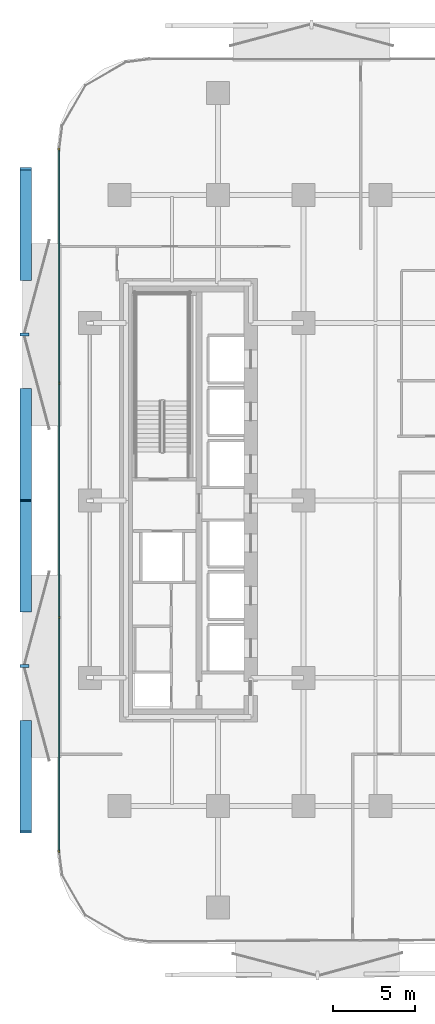
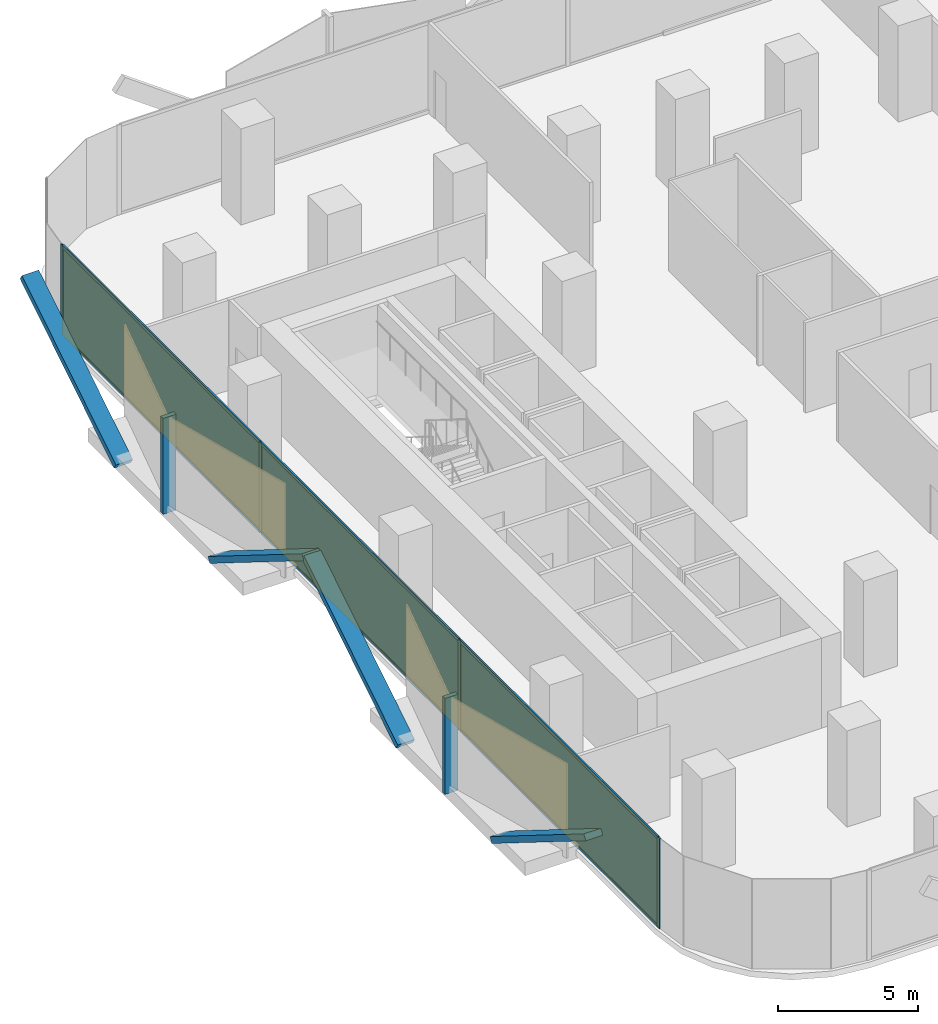
# One storey, part 8 of 15: 16 members, 3 plates, 1 curtain wall.
"""IFC4 building model written with IfcOpenShell, lengths in metres."""

from ifc_helpers import new_model, si_unit, direction, frame, frame_2d, origin, origin_2d, place, context, subcontext, project, spatial, rectangle, extrude, material, layer, layer_set, material_profile, profile_set, type_object, element, aggregate, save


model = new_model("IFC4")

# Units and contexts
model_context = context("Model", 3, precision=1e-05, world=origin(), true_north=direction((0.0, 1.0)))
body_context = subcontext(model_context, "Body", "Model", "MODEL_VIEW")
ifc_project = project(units=[si_unit("LENGTHUNIT", "METRE"), si_unit("AREAUNIT", "SQUARE_METRE"), si_unit("VOLUMEUNIT", "CUBIC_METRE"), si_unit("PLANEANGLEUNIT", "RADIAN"), si_unit("MASSUNIT", "GRAM", prefix="KILO")], contexts=[model_context])

# Member
ifc_material_1 = material(Name="Anodised Bronze Aluminium 6063-T6", Category="aluminium")
ifc_material_profile_1 = material_profile(ifc_material_1, rectangle(XDim=0.260009765625, YDim=0.699951171875, at=origin_2d()))
ifc_profile_set_1 = profile_set([ifc_material_profile_1], Name="Anodised Bronze Aluminium 6063-T6")
member_type_1 = type_object("IfcMemberType", Name="Bronze Diamond Solar-Screen Lattice Rib BDL-700", PredefinedType="MULLION", material=ifc_profile_set_1)
site_placement = place(None, origin())
building_placement = place(site_placement, origin())
storey_placement = place(building_placement, frame((0.0, 0.0, 47.0)))
member_1_placement = place(storey_placement, frame((-26.10009765625, -6.730224609375, -0.1298828125), z_axis=(0.0, 0.848362902952, 0.529415134744), x_axis=(0.0, -0.529415134744, 0.848362902952)))
member_1 = element("IfcMember", 1, at=member_1_placement, type_object=member_type_1, Name="L11 Bronze Diamond Solar Screen Lattice Rib 43A", PredefinedType="MULLION", context=body_context, shape_type="SweptSolid", body=[
    extrude(rectangle(XDim=0.260009765625, YDim=0.699951171875, at=origin_2d()), origin(), (0.0, 0.0, 1.0), 7.93310546875),
])

member_2_placement = place(storey_placement, frame((-26.10009765625, -13.46044921875, -0.1298828125), z_axis=(0.0, -0.848371528126, 0.529401313057), x_axis=(0.0, 0.529401313057, 0.848371528126)))
member_2 = element("IfcMember", 2, at=member_2_placement, type_object=member_type_1, Name="L11 Bronze Diamond Solar Screen Lattice Rib 43B", PredefinedType="MULLION", context=body_context, shape_type="SweptSolid", body=[
    extrude(rectangle(XDim=0.260009765625, YDim=0.699951171875, at=origin_2d()), origin(), (0.0, 0.0, 1.0), 7.933349609375),
])

member_3_placement = place(storey_placement, frame((-26.10009765625, 13.46044921875, -0.1298828125), z_axis=(0.0, 0.848371528126, 0.529401313057), x_axis=(0.0, -0.529401313057, 0.848371528126)))
member_3 = element("IfcMember", 3, at=member_3_placement, type_object=member_type_1, Name="L11 Bronze Diamond Solar Screen Lattice Rib 44A", PredefinedType="MULLION", context=body_context, shape_type="SweptSolid", body=[
    extrude(rectangle(XDim=0.260009765625, YDim=0.699951171875, at=origin_2d()), origin(), (0.0, 0.0, 1.0), 7.933349609375),
])

member_4_placement = place(storey_placement, frame((-26.10009765625, 6.730224609375, -0.1298828125), z_axis=(0.0, -0.848362902952, 0.529415134744), x_axis=(0.0, 0.529415134744, 0.848362902952)))
member_4 = element("IfcMember", 4, at=member_4_placement, type_object=member_type_1, Name="L11 Bronze Diamond Solar Screen Lattice Rib 44B", PredefinedType="MULLION", context=body_context, shape_type="SweptSolid", body=[
    extrude(rectangle(XDim=0.260009765625, YDim=0.699951171875, at=origin_2d()), origin(), (0.0, 0.0, 1.0), 7.93310546875),
])

ifc_material_2 = material(Name="Anodised Bronze Aluminium 6063-T6", Category="aluminium")
ifc_material_profile_2 = material_profile(ifc_material_2, rectangle(XDim=0.179931640625, YDim=0.5400390625, at=origin_2d()))
ifc_profile_set_2 = profile_set([ifc_material_profile_2], Name="Anodised Bronze Aluminium 6063-T6")
member_type_2 = type_object("IfcMemberType", Name="Bronze Solar-Screen Vertical Fold Fin BSF-540", PredefinedType="MULLION", material=ifc_profile_set_2)
member_5_placement = place(storey_placement, frame((-26.179931640625, -10.095458984375, -0.1298828125), z_axis=(0.0, 0.0, 1.0), x_axis=(0.0, 1.0, 0.0)))
member_5 = element("IfcMember", 5, at=member_5_placement, type_object=member_type_2, Name="L11 Bronze Solar Screen Vertical Fin 43", PredefinedType="MULLION", context=body_context, shape_type="SweptSolid", body=[
    extrude(rectangle(XDim=0.179931640625, YDim=0.5400390625, at=origin_2d()), origin(), (0.0, 0.0, 1.0), 4.199951171875),
])

member_6_placement = place(storey_placement, frame((-26.179931640625, 10.095458984375, -0.1298828125), z_axis=(0.0, 0.0, 1.0), x_axis=(0.0, 1.0, 0.0)))
member_6 = element("IfcMember", 6, at=member_6_placement, type_object=member_type_2, Name="L11 Bronze Solar Screen Vertical Fin 44", PredefinedType="MULLION", context=body_context, shape_type="SweptSolid", body=[
    extrude(rectangle(XDim=0.179931640625, YDim=0.5400390625, at=origin_2d()), origin(), (0.0, 0.0, 1.0), 4.199951171875),
])

ifc_material_3 = material(Name="Anodised Bronze Aluminium 6063-T6", Category="aluminium")
ifc_material_profile_3 = material_profile(ifc_material_3, rectangle(XDim=0.06494140625, YDim=0.179931640625, at=origin_2d()))
ifc_profile_set_3 = profile_set([ifc_material_profile_3], Name="Anodised Bronze Aluminium 6063-T6")
member_type_3 = type_object("IfcMemberType", Name="CW-Z1 Mullion 65x180", PredefinedType="MULLION", material=ifc_profile_set_3)
member_7_placement = place(storey_placement, frame((-24.06005859375, -21.3583984375, 0.0), z_axis=(0.0, 0.0, 1.0), x_axis=(-1.0, 0.0, 0.0)))
member_7 = element("IfcMember", 7, at=member_7_placement, type_object=member_type_3, Name="CW-Z1 mullion 1", PredefinedType="MULLION", context=body_context, shape_type="SweptSolid", body=[
    extrude(rectangle(XDim=0.06494140625, YDim=0.179931640625, at=origin_2d()), origin(), (0.0, 0.0, 1.0), 3.93994140625),
])

member_8_placement = place(storey_placement, frame((-24.06005859375, -7.13037109375, 0.0), z_axis=(0.0, 0.0, 1.0), x_axis=(-1.0, 0.0, 0.0)))
member_8 = element("IfcMember", 8, at=member_8_placement, type_object=member_type_3, Name="CW-Z1 mullion 2", PredefinedType="MULLION", context=body_context, shape_type="SweptSolid", body=[
    extrude(rectangle(XDim=0.06494140625, YDim=0.179931640625, at=origin_2d()), origin(), (0.0, 0.0, 1.0), 3.93994140625),
])

member_9_placement = place(storey_placement, frame((-24.06005859375, 7.13037109375, 0.0), z_axis=(0.0, 0.0, 1.0), x_axis=(-1.0, 0.0, 0.0)))
member_9 = element("IfcMember", 9, at=member_9_placement, type_object=member_type_3, Name="CW-Z1 mullion 3", PredefinedType="MULLION", context=body_context, shape_type="SweptSolid", body=[
    extrude(rectangle(XDim=0.06494140625, YDim=0.179931640625, at=origin_2d()), origin(), (0.0, 0.0, 1.0), 3.93994140625),
])

member_10_placement = place(storey_placement, frame((-24.06005859375, 21.3583984375, 0.0), z_axis=(0.0, 0.0, 1.0), x_axis=(-1.0, 0.0, 0.0)))
member_10 = element("IfcMember", 10, at=member_10_placement, type_object=member_type_3, Name="CW-Z1 mullion 4", PredefinedType="MULLION", context=body_context, shape_type="SweptSolid", body=[
    extrude(rectangle(XDim=0.06494140625, YDim=0.179931640625, at=origin_2d()), origin(), (0.0, 0.0, 1.0), 3.93994140625),
])

ifc_material_4 = material(Name="Anodised Bronze Aluminium 6063-T6", Category="aluminium")
ifc_material_profile_4 = material_profile(ifc_material_4, rectangle(XDim=0.06494140625, YDim=0.139892578125, at=origin_2d()))
ifc_profile_set_4 = profile_set([ifc_material_profile_4], Name="Anodised Bronze Aluminium 6063-T6")
member_type_4 = type_object("IfcMemberType", Name="CW-Z1 Transom 65x140", PredefinedType="USERDEFINED", material=ifc_profile_set_4)
member_11_placement = place(storey_placement, frame((-24.06005859375, -21.32568359375, 0.032470703125), z_axis=(0.0, 1.0, 0.0), x_axis=(-1.0, 0.0, 0.0)))
member_11 = element("IfcMember", 11, at=member_11_placement, type_object=member_type_4, Name="CW-Z1 transom 1.1", ObjectType="TRANSOM", PredefinedType="USERDEFINED", context=body_context, shape_type="SweptSolid", body=[
    extrude(rectangle(XDim=0.06494140625, YDim=0.139892578125, at=origin_2d()), origin(), (0.0, 0.0, 1.0), 14.162841796875),
])

member_12_placement = place(storey_placement, frame((-24.06005859375, -21.32568359375, 3.907470703125), z_axis=(0.0, 1.0, 0.0), x_axis=(-1.0, 0.0, 0.0)))
member_12 = element("IfcMember", 12, at=member_12_placement, type_object=member_type_4, Name="CW-Z1 transom 1.2", ObjectType="TRANSOM", PredefinedType="USERDEFINED", context=body_context, shape_type="SweptSolid", body=[
    extrude(rectangle(XDim=0.06494140625, YDim=0.139892578125, at=origin_2d()), origin(), (0.0, 0.0, 1.0), 14.162841796875),
])

member_13_placement = place(storey_placement, frame((-24.06005859375, -7.09765625, 0.032470703125), z_axis=(0.0, 1.0, 0.0), x_axis=(-1.0, 0.0, 0.0)))
member_13 = element("IfcMember", 13, at=member_13_placement, type_object=member_type_4, Name="CW-Z1 transom 2.1", ObjectType="TRANSOM", PredefinedType="USERDEFINED", context=body_context, shape_type="SweptSolid", body=[
    extrude(rectangle(XDim=0.06494140625, YDim=0.139892578125, at=origin_2d()), origin(), (0.0, 0.0, 1.0), 14.1953125),
])

member_14_placement = place(storey_placement, frame((-24.06005859375, -7.09765625, 3.907470703125), z_axis=(0.0, 1.0, 0.0), x_axis=(-1.0, 0.0, 0.0)))
member_14 = element("IfcMember", 14, at=member_14_placement, type_object=member_type_4, Name="CW-Z1 transom 2.2", ObjectType="TRANSOM", PredefinedType="USERDEFINED", context=body_context, shape_type="SweptSolid", body=[
    extrude(rectangle(XDim=0.06494140625, YDim=0.139892578125, at=origin_2d()), origin(), (0.0, 0.0, 1.0), 14.1953125),
])

member_15_placement = place(storey_placement, frame((-24.06005859375, 7.162841796875, 0.032470703125), z_axis=(0.0, 1.0, 0.0), x_axis=(-1.0, 0.0, 0.0)))
member_15 = element("IfcMember", 15, at=member_15_placement, type_object=member_type_4, Name="CW-Z1 transom 3.1", ObjectType="TRANSOM", PredefinedType="USERDEFINED", context=body_context, shape_type="SweptSolid", body=[
    extrude(rectangle(XDim=0.06494140625, YDim=0.139892578125, at=origin_2d()), origin(), (0.0, 0.0, 1.0), 14.162841796875),
])

member_16_placement = place(storey_placement, frame((-24.06005859375, 7.162841796875, 3.907470703125), z_axis=(0.0, 1.0, 0.0), x_axis=(-1.0, 0.0, 0.0)))
member_16 = element("IfcMember", 16, at=member_16_placement, type_object=member_type_4, Name="CW-Z1 transom 3.2", ObjectType="TRANSOM", PredefinedType="USERDEFINED", context=body_context, shape_type="SweptSolid", body=[
    extrude(rectangle(XDim=0.06494140625, YDim=0.139892578125, at=origin_2d()), origin(), (0.0, 0.0, 1.0), 14.162841796875),
])

# Plate
ifc_material_5 = material(Name="Low-E Solar Control Laminated Glass", Category="glass")
ifc_layer_1 = layer(ifc_material_5, 0.028076171875, Name="Low-E Solar Control Laminated Glass")
ifc_layer_set_1 = layer_set([ifc_layer_1], Name="Low-E Solar Control Laminated Glass")
plate_type = type_object("IfcPlateType", Name="CW-Z1 Low-E Double Glazed Panel 28mm", PredefinedType="CURTAIN_PANEL", material=ifc_layer_set_1)
plate_1_placement = place(storey_placement, frame((-24.06005859375, -14.244384765625, 0.06494140625), z_axis=(0.0, 0.0, 1.0), x_axis=(0.0, 1.0, 0.0)))
plate_1 = element("IfcPlate", 17, at=plate_1_placement, type_object=plate_type, Name="CW-Z1 panel 1.1", PredefinedType="CURTAIN_PANEL", context=body_context, shape_type="SweptSolid", body=[
    extrude(rectangle(XDim=14.1630859375, YDim=0.028076171875, at=origin_2d()), origin(), (0.0, 0.0, 1.0), 3.81005859375),
])

plate_2_placement = place(storey_placement, frame((-24.06005859375, 0.0, 0.06494140625), z_axis=(0.0, 0.0, 1.0), x_axis=(0.0, 1.0, 0.0)))
plate_2 = element("IfcPlate", 18, at=plate_2_placement, type_object=plate_type, Name="CW-Z1 panel 2.1", PredefinedType="CURTAIN_PANEL", context=body_context, shape_type="SweptSolid", body=[
    extrude(rectangle(XDim=14.195556640625, YDim=0.028076171875, at=origin_2d()), origin(), (0.0, 0.0, 1.0), 3.81005859375),
])

plate_3_placement = place(storey_placement, frame((-24.06005859375, 14.244384765625, 0.06494140625), z_axis=(0.0, 0.0, 1.0), x_axis=(0.0, 1.0, 0.0)))
plate_3 = element("IfcPlate", 19, at=plate_3_placement, type_object=plate_type, Name="CW-Z1 panel 3.1", PredefinedType="CURTAIN_PANEL", context=body_context, shape_type="SweptSolid", body=[
    extrude(rectangle(XDim=14.1630859375, YDim=0.028076171875, at=origin_2d()), origin(), (0.0, 0.0, 1.0), 3.81005859375),
])

# Site, building, storey
site = spatial("IfcSite", under=ifc_project, at=site_placement, CompositionType="ELEMENT")
building = spatial("IfcBuilding", under=site, at=building_placement, Name="Khairoan Windgate Tower", CompositionType="ELEMENT")
storey = spatial("IfcBuildingStorey", under=building, at=storey_placement, Name="L11", CompositionType="ELEMENT", Elevation=47.0)

# Curtain wall
ifc_material_6 = material(Name="Anodised Bronze Aluminium 6063-T6", Category="aluminium")
ifc_layer_2 = layer(ifc_material_6, 0.179931640625, Name="Anodised Bronze Aluminium 6063-T6")
ifc_layer_set_2 = layer_set([ifc_layer_2], Name="Anodised Bronze Aluminium 6063-T6")
curtain_wall_type = type_object("IfcCurtainWallType", Name="Low-Rise Office Unitised Curtain Wall CW-Z1", PredefinedType="NOTDEFINED", material=ifc_layer_set_2)
curtain_wall_placement = place(storey_placement, frame((-24.06005859375, -21.390869140625, 0.0), z_axis=(0.0, 0.0, 1.0), x_axis=(0.0, 1.0, 0.0)))
curtain_wall = element("IfcCurtainWall", 20, at=curtain_wall_placement, inside=storey, type_object=curtain_wall_type, Name="L11 Unitised Curtain Wall 6", PredefinedType="NOTDEFINED", context=body_context, shape_type="SweptSolid", body=[
    extrude(rectangle(XDim=42.78173828125, YDim=0.010009765625, at=frame_2d((21.390869140625, 0.0))), origin(), (0.0, 0.0, 1.0), 3.93994140625),
])

aggregate(curtain_wall, [member_7, member_8, member_9, member_10, member_11, member_12, plate_1, member_13, member_14, plate_2, member_15, member_16, plate_3, member_1, member_2, member_5, member_3, member_4, member_6])

save(model, "model.ifc")
